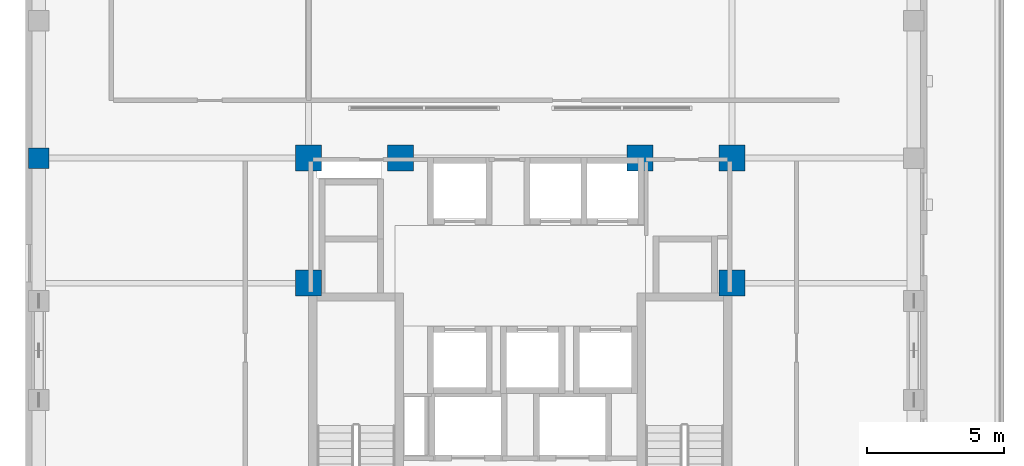
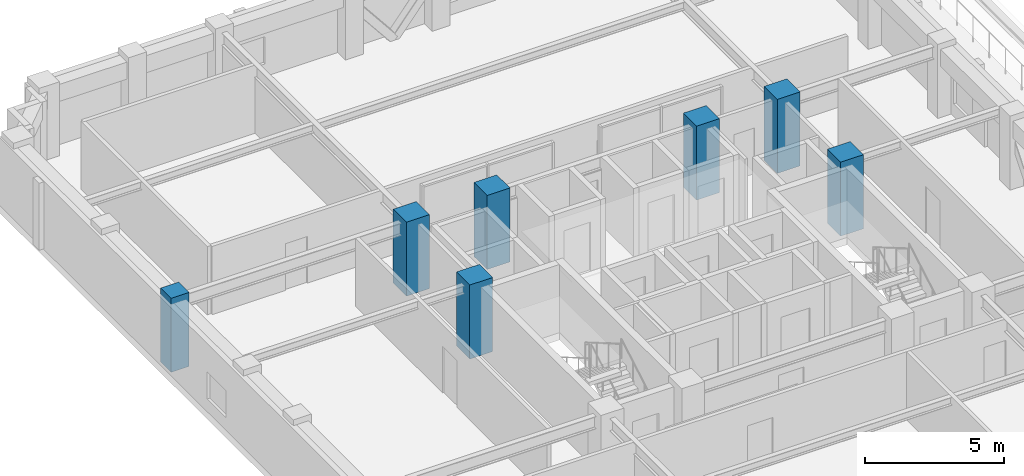
# One storey, part 2 of 15: 7 columns.
"""IFC4 building model written with IfcOpenShell, lengths in metres."""

from ifc_helpers import new_model, si_unit, derived_unit, direction, frame, origin, origin_2d, place, context, subcontext, project, spatial, rectangle, extrude, material, material_profile, profile_set, type_object, element, save


model = new_model("IFC4")

# Units and contexts
model_context = context("Model", 3, precision=1e-05, world=origin(), true_north=direction((0.0, 1.0)))
body_context = subcontext(model_context, "Body", "Model", "MODEL_VIEW")
ifc_project = project(units=[si_unit("LENGTHUNIT", "METRE"), si_unit("AREAUNIT", "SQUARE_METRE"), si_unit("VOLUMEUNIT", "CUBIC_METRE"), si_unit("PLANEANGLEUNIT", "RADIAN"), si_unit("MASSUNIT", "GRAM", prefix="KILO"), derived_unit("THERMALTRANSMITTANCEUNIT", [(si_unit("MASSUNIT", "GRAM", prefix="KILO"), 1), (si_unit("TIMEUNIT", "SECOND"), -3), (si_unit("THERMODYNAMICTEMPERATUREUNIT", "KELVIN"), -1)])], contexts=[model_context])

# Site, building, storey
site_placement = place(None, origin())
site = spatial("IfcSite", under=ifc_project, at=site_placement, CompositionType="ELEMENT")
building_placement = place(site_placement, origin())
building = spatial("IfcBuilding", under=site, at=building_placement, Name="Korrvale Station Residences", CompositionType="ELEMENT")
storey_placement = place(building_placement, frame((0.0, 0.0, 124.39990234375)))
storey = spatial("IfcBuildingStorey", under=building, at=storey_placement, Name="L35", CompositionType="ELEMENT", Elevation=124.39990234375)

# Columns
ifc_material = material(Name="Concrete C60/75", Category="concrete")
ifc_material_profile_1 = material_profile(ifc_material, rectangle(XDim=0.75, YDim=0.75, at=origin_2d()), Name="RC750x750")
ifc_profile_set_1 = profile_set([ifc_material_profile_1], Name="Concrete C60/75")
column_type_1 = type_object("IfcColumnType", Name="COL-C-RC750x750-C6075", PredefinedType="COLUMN", material=ifc_profile_set_1)
column_placement = place(storey_placement, frame((7.97998046875, 29.0, 0.0), z_axis=(0.0, 0.0, 1.0), x_axis=(1.0, 0.0, 0.0)))
element("IfcColumn", 1, at=column_placement, inside=storey, type_object=column_type_1, Name="L35 Bundled-Tube West Column 20", PredefinedType="COLUMN", context=body_context, shape_type="SweptSolid", body=[
    extrude(rectangle(XDim=0.75, YDim=0.75, at=origin_2d()), origin(), (0.0, 0.0, 1.0), 3.25),
])
ifc_material_profile_2 = material_profile(ifc_material, rectangle(XDim=0.949951171875, YDim=0.949951171875, at=origin_2d()), Name="RC950x950")
ifc_profile_set_2 = profile_set([ifc_material_profile_2], Name="Concrete C60/75")
column_type_2 = type_object("IfcColumnType", Name="COL-C-RC950x950-C6075", PredefinedType="COLUMN", material=ifc_profile_set_2)
for number, where, z_axis, x_axis, name in (
    (2, (17.800048828125, 29.0, 0.0), (0.0, 0.0, 1.0), (1.0, 0.0, 0.0), "L35 Core Column 05"),
    (3, (21.14990234375, 29.0, 0.0), (0.0, 0.0, 1.0), (1.0, 0.0, 0.0), "L35 Core Column 06"),
    (4, (29.85009765625, 29.0, 0.0), (0.0, 0.0, 1.0), (1.0, 0.0, 0.0), "L35 Core Column 07"),
    (5, (33.199951171875, 29.0, 0.0), (0.0, 0.0, 1.0), (1.0, 0.0, 0.0), "L35 Core Column 08"),
    (6, (17.800048828125, 24.449951171875, 0.0), (0.0, 0.0, 1.0), (1.0, 0.0, 0.0), "L35 Core Column 09"),
    (7, (33.199951171875, 24.449951171875, 0.0), (0.0, 0.0, 1.0), (1.0, 0.0, 0.0), "L35 Core Column 10"),
):
    element("IfcColumn", number, at=place(storey_placement, frame(where, z_axis=z_axis, x_axis=x_axis)), inside=storey, type_object=column_type_2, Name=name, PredefinedType="COLUMN", context=body_context, shape_type="SweptSolid", body=[
        extrude(rectangle(XDim=0.949951171875, YDim=0.949951171875, at=origin_2d()), origin(), (0.0, 0.0, 1.0), 3.25),
    ])

save(model, "model.ifc")
